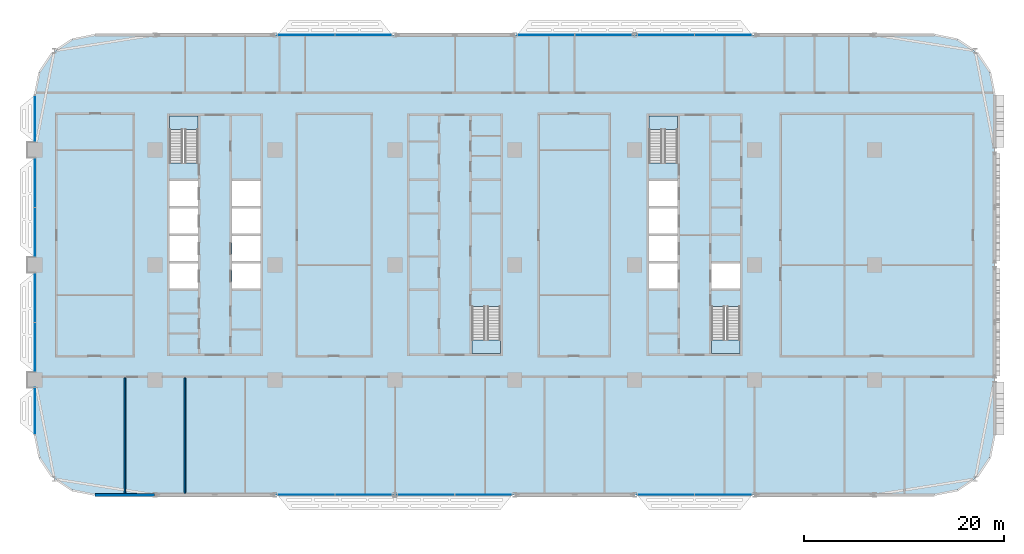
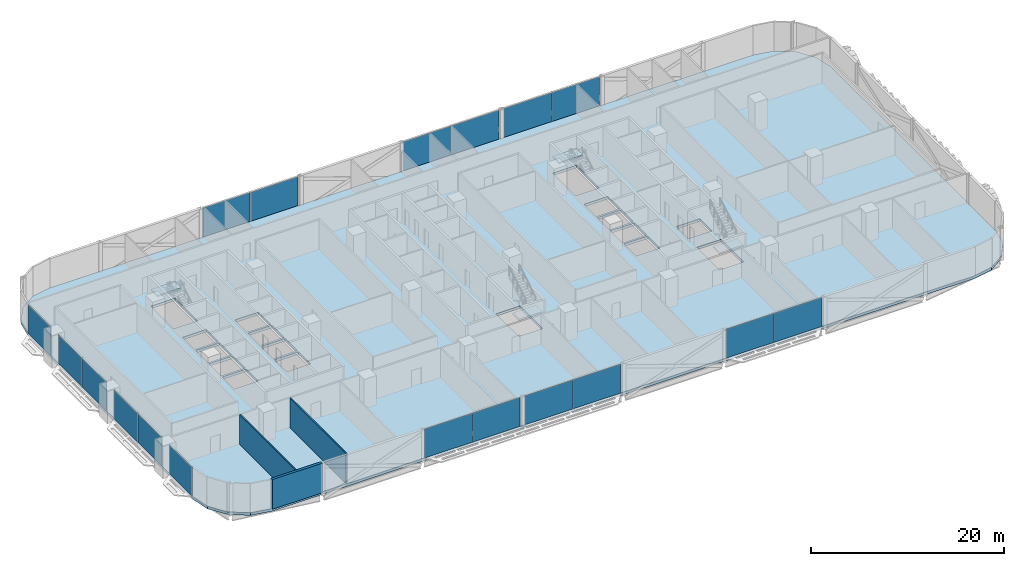
# One storey, part 11 of 29: 18 plates, 5 slabs, 3 walls, 14 elements without a shape of their own.
"""IFC4 building model written with IfcOpenShell, lengths in metres."""

import ifcopenshell
import ifcopenshell.guid

model = None  # the IFC model being written
_history = None  # IfcOwnerHistory: only IFC2X3 demands one
_inside = {}  # id of a spatial element -> (the spatial element, [elements in it])
_under = {}  # id of a project, library or spatial element -> (it, [spatial elements below it])
_declared = {}  # id of a project -> (the project, [libraries it declares])
_typed = {}  # id of a type object -> (the type object, [elements of that type])
_made_of = {}  # id of a material, layer set ... -> (it, [elements and type objects made of it])


def new_model(schema):
    """Start an empty IFC model of exactly this schema.

    Asked for "IFC4X3", IfcOpenShell would pick the latest addendum, in which some entities
    have other attributes; the version numbers below select the first issue.
    IFC2X3 requires an IfcOwnerHistory on every rooted entity: one is made here for all.
    """
    global model, _history
    if schema == "IFC4X3":
        model = ifcopenshell.file(schema_version=(4, 3, 0, 0))
    else:
        model = ifcopenshell.file(schema=schema)
    _inside.clear()
    _under.clear()
    _declared.clear()
    _typed.clear()
    _made_of.clear()
    _history = None
    if model.schema == "IFC2X3":
        org = make("IfcOrganization", Name="unknown")
        user = make(
            "IfcPersonAndOrganization",
            ThePerson=make("IfcPerson", FamilyName="unknown"),
            TheOrganization=org,
        )
        app = make(
            "IfcApplication",
            ApplicationDeveloper=org,
            Version="unknown",
            ApplicationFullName="unknown",
            ApplicationIdentifier="unknown",
        )
        _history = make(
            "IfcOwnerHistory",
            OwningUser=user,
            OwningApplication=app,
            ChangeAction="ADDED",
            CreationDate=0,
        )
    return model


def make(cls, **values):
    """One entity of the class cls with the attributes given. An attribute that is None is left unset."""
    return model.create_entity(
        cls, **{name: value for name, value in values.items() if value is not None}
    )


def rooted(cls, **values):
    """An entity with a GlobalId (a new one), such as an element, a storey or a relation."""
    return make(cls, GlobalId=ifcopenshell.guid.new(), OwnerHistory=_history, **values)


def si_unit(unit_type, name, prefix=None):
    """IfcSIUnit, for example si_unit("LENGTHUNIT", "METRE", prefix="MILLI")."""
    return make("IfcSIUnit", UnitType=unit_type, Prefix=prefix, Name=name)


def assignment(units):
    """IfcUnitAssignment: the units of a project."""
    return None if units is None else make("IfcUnitAssignment", Units=units)


def point(xyz):
    """IfcCartesianPoint."""
    return None if xyz is None else make("IfcCartesianPoint", Coordinates=xyz)


def direction(xyz):
    """IfcDirection."""
    return None if xyz is None else make("IfcDirection", DirectionRatios=xyz)


def frame(location, z_axis=None, x_axis=None):
    """IfcAxis2Placement3D, a coordinate frame: its origin and axes. An axis left out is left unset."""
    return make(
        "IfcAxis2Placement3D",
        Location=point(location),
        Axis=direction(z_axis),
        RefDirection=direction(x_axis),
    )


def frame_2d(location, x_axis=None):
    """IfcAxis2Placement2D, a coordinate frame in the plane: its origin and x axis."""
    return make(
        "IfcAxis2Placement2D", Location=point(location), RefDirection=direction(x_axis)
    )


def origin():
    """The frame at (0, 0, 0) with its axes left unset."""
    return frame((0.0, 0.0, 0.0))


def origin_2d():
    """The frame at (0, 0) in the plane with its x axis left unset."""
    return frame_2d((0.0, 0.0))


def place(relative_to, where):
    """IfcLocalPlacement: puts the frame where relative to a parent placement (None: the world)."""
    return make(
        "IfcLocalPlacement", PlacementRelTo=relative_to, RelativePlacement=where
    )


def context(
    kind, dimensions, precision=None, world=None, true_north=None, identifier=None
):
    """IfcGeometricRepresentationContext, for example the 3D "Model" context."""
    return make(
        "IfcGeometricRepresentationContext",
        ContextIdentifier=identifier,
        ContextType=kind,
        CoordinateSpaceDimension=dimensions,
        Precision=precision,
        WorldCoordinateSystem=world,
        TrueNorth=true_north,
    )


def subcontext(parent, identifier, kind, view, scale=None):
    """IfcGeometricRepresentationSubContext, for example "Body" below "Model"."""
    return make(
        "IfcGeometricRepresentationSubContext",
        ContextIdentifier=identifier,
        ContextType=kind,
        ParentContext=parent,
        TargetScale=scale,
        TargetView=view,
    )


def project(units=None, contexts=None):
    """IfcProject with its units and contexts."""
    return rooted(
        "IfcProject",
        Name="project",
        RepresentationContexts=contexts,
        UnitsInContext=assignment(units),
    )


def spatial(cls, under=None, at=None, **own):
    """A site, building, storey or space (cls), placed at a placement, below another one or the project."""
    s = rooted(cls, ObjectPlacement=at, **own)
    if under is not None:
        _under.setdefault(under.id(), (under, []))[1].append(s)
    return s


def polyline(points):
    """IfcPolyline through the points."""
    return make("IfcPolyline", Points=[point(p) for p in points])


def profile(cls, at=None, kind="AREA", **sizes):
    """A parametric profile (cls). Its sizes go by their IFC names, for example OverallWidth=200.0."""
    return make(cls, ProfileType=kind, Position=at, **sizes)


def rectangle(**sizes):
    """IfcRectangleProfileDef."""
    return profile("IfcRectangleProfileDef", **sizes)


def outline(outer, holes=None, kind="AREA"):
    """IfcArbitraryClosedProfileDef: a profile drawn as a closed curve; with holes, ...WithVoids."""
    if holes is None:
        return make("IfcArbitraryClosedProfileDef", ProfileType=kind, OuterCurve=outer)
    return make(
        "IfcArbitraryProfileDefWithVoids",
        ProfileType=kind,
        OuterCurve=outer,
        InnerCurves=holes,
    )


def extrude(swept, where, along, depth):
    """IfcExtrudedAreaSolid: the profile swept, set in the frame where, extruded along a direction by depth."""
    return make(
        "IfcExtrudedAreaSolid",
        SweptArea=swept,
        Position=where,
        ExtrudedDirection=direction(along),
        Depth=depth,
    )


def shape(context_of_items, identifier, shape_type, items):
    """IfcShapeRepresentation: the items that make up one representation, for example the "Body"."""
    return make(
        "IfcShapeRepresentation",
        ContextOfItems=context_of_items,
        RepresentationIdentifier=identifier,
        RepresentationType=shape_type,
        Items=items,
    )


def material(Name=None, Category=None):
    """IfcMaterial."""
    return make("IfcMaterial", Name=Name, Category=Category)


def layer(
    of_material, thickness, ventilated=None, Name=None, Category=None, Priority=None
):
    """IfcMaterialLayer: one layer of a wall or slab, of a material (None: an air gap)."""
    return make(
        "IfcMaterialLayer",
        Material=of_material,
        LayerThickness=thickness,
        IsVentilated=ventilated,
        Name=Name,
        Category=Category,
        Priority=Priority,
    )


def layer_set(layers, Name=None):
    """IfcMaterialLayerSet."""
    return make("IfcMaterialLayerSet", MaterialLayers=layers, LayerSetName=Name)


def made_of(thing, what):
    """Note that an element or type object is made of a material, layer set ...; save() writes the relation."""
    if what is not None:
        _made_of.setdefault(what.id(), (what, []))[1].append(thing)
    return thing


def type_object(cls, material=None, **own):
    """A type object (cls), such as IfcWallType, which elements share."""
    return made_of(rooted(cls, **own), material)


def element(
    cls,
    number,
    at=None,
    inside=None,
    cuts=None,
    type_object=None,
    material=None,
    context=None,
    identifier="Body",
    shape_type=None,
    held_by="IfcProductDefinitionShape",
    body=None,
    shapes=None,
    **own,
):
    """One element of the class cls, such as IfcWall. Its Tag is "e" and its number.

    at: its placement. inside: the storey or other place that contains it. cuts: it is an
    opening in that element (IfcRelVoidsElement). A single representation is given by context,
    identifier, shape_type and body (its items); several are given by shapes. held_by: the class
    of the entity that holds the representations. save() writes the other relations.
    """
    e = rooted(cls, Tag="e%d" % number, ObjectPlacement=at, **own)
    if body is not None:
        shapes = [shape(context, identifier, shape_type, body)]
    if shapes is not None:
        e.Representation = make(held_by, Representations=shapes)
    if inside is not None:
        _inside.setdefault(inside.id(), (inside, []))[1].append(e)
    if cuts is not None:
        rooted(
            "IfcRelVoidsElement", RelatingBuildingElement=cuts, RelatedOpeningElement=e
        )
    if type_object is not None:
        _typed.setdefault(type_object.id(), (type_object, []))[1].append(e)
    return made_of(e, material)


def aggregate(whole, parts):
    """IfcRelAggregates: a whole, such as a stair, and the parts it consists of."""
    return rooted("IfcRelAggregates", RelatingObject=whole, RelatedObjects=parts)


def save(model, path):
    """Write the relations noted so far, then the file.

    IfcRelAggregates (storeys below a building ...), IfcRelContainedInSpatialStructure (elements
    in a storey), IfcRelDefinesByType, IfcRelAssociatesMaterial and IfcRelDeclares: one each for
    every whole, place, type object, material and project.
    """
    for whole, parts in _under.values():
        aggregate(whole, parts)
    for where, things in _inside.values():
        rooted(
            "IfcRelContainedInSpatialStructure",
            RelatedElements=things,
            RelatingStructure=where,
        )
    for kind, things in _typed.values():
        rooted("IfcRelDefinesByType", RelatedObjects=things, RelatingType=kind)
    for what, things in _made_of.values():
        rooted("IfcRelAssociatesMaterial", RelatedObjects=things, RelatingMaterial=what)
    for by, libraries in _declared.values():
        rooted("IfcRelDeclares", RelatingContext=by, RelatedDefinitions=libraries)
    model.write(path)


model = new_model("IFC4")

# Units and contexts
model_context = context("Model", 3, precision=1e-05, world=origin(), true_north=direction((0.0, 1.0)))
body_context = subcontext(model_context, "Body", "Model", "MODEL_VIEW")
ifc_project = project(units=[si_unit("LENGTHUNIT", "METRE"), si_unit("AREAUNIT", "SQUARE_METRE"), si_unit("VOLUMEUNIT", "CUBIC_METRE"), si_unit("PLANEANGLEUNIT", "RADIAN"), si_unit("MASSUNIT", "GRAM", prefix="KILO")], contexts=[model_context])

# Site, building, storey
site_placement = place(None, origin())
site = spatial("IfcSite", under=ifc_project, at=site_placement, CompositionType="ELEMENT")
building_placement = place(site_placement, origin())
building = spatial("IfcBuilding", under=site, at=building_placement, Name="Mahtab Terrace Research Tower", CompositionType="ELEMENT")
storey_placement = place(building_placement, frame((0.0, 0.0, 76.10009765625)))
storey = spatial("IfcBuildingStorey", under=building, at=storey_placement, Name="L17", CompositionType="ELEMENT", Elevation=76.10009765625)

# Stair, slab
ifc_material_1 = material(Name="Exit stair half-turn")
stair_type = type_object("IfcStairType", Name="Exit stair half-turn", PredefinedType="HALF_TURN_STAIR", material=ifc_material_1)
stair_1_placement = place(storey_placement, origin())
stair_1 = element("IfcStair", 1, at=stair_1_placement, inside=storey, type_object=stair_type, Name="L17 Protected exit stair ST1", PredefinedType="HALF_TURN_STAIR")
ifc_material_2 = material(Name="Concrete C40/50", Category="concrete")
ifc_layer_1 = layer(ifc_material_2, 0.199951171875)
ifc_layer_set_1 = layer_set([ifc_layer_1], Name="Exit stair landing 200")
slab_type_1 = type_object("IfcSlabType", Name="Exit stair landing 200", PredefinedType="LANDING", material=ifc_layer_set_1)
slab_1_placement = place(storey_placement, frame((0.0, 0.0, 1.949951171875)))
slab_1 = element("IfcSlab", 2, at=slab_1_placement, type_object=slab_type_1, Name="ST1 landing 1", PredefinedType="LANDING", context=body_context, shape_type="SweptSolid", body=[
    extrude(outline(polyline([(-25.699951171875, 13.534912109375), (-25.699951171875, 14.875), (-28.550048828125, 14.875), (-28.550048828125, 13.534912109375), (-25.699951171875, 13.534912109375)])), origin(), (0.0, 0.0, 1.0), 0.199951171875),
])
aggregate(stair_1, [slab_1])

stair_2_placement = place(storey_placement, origin())
stair_2 = element("IfcStair", 3, at=stair_2_placement, inside=storey, type_object=stair_type, Name="L17 Protected exit stair ST2", PredefinedType="HALF_TURN_STAIR")
slab_2_placement = place(storey_placement, frame((0.0, 0.0, 1.949951171875)))
slab_2 = element("IfcSlab", 4, at=slab_2_placement, type_object=slab_type_1, Name="ST2 landing 1", PredefinedType="LANDING", context=body_context, shape_type="SweptSolid", body=[
    extrude(outline(polyline([(1.699951171875, -7.534912109375), (1.699951171875, -8.875), (4.550048828125, -8.875), (4.550048828125, -7.534912109375), (1.699951171875, -7.534912109375)])), origin(), (0.0, 0.0, 1.0), 0.199951171875),
])
aggregate(stair_2, [slab_2])

stair_3_placement = place(storey_placement, origin())
stair_3 = element("IfcStair", 5, at=stair_3_placement, inside=storey, type_object=stair_type, Name="L17 Protected exit stair ST3", PredefinedType="HALF_TURN_STAIR")
slab_3_placement = place(storey_placement, frame((0.0, 0.0, 1.949951171875)))
slab_3 = element("IfcSlab", 6, at=slab_3_placement, type_object=slab_type_1, Name="ST3 landing 1", PredefinedType="LANDING", context=body_context, shape_type="SweptSolid", body=[
    extrude(outline(polyline([(22.300048828125, 13.534912109375), (22.300048828125, 14.875), (19.449951171875, 14.875), (19.449951171875, 13.534912109375), (22.300048828125, 13.534912109375)])), origin(), (0.0, 0.0, 1.0), 0.199951171875),
])
aggregate(stair_3, [slab_3])

stair_4_placement = place(storey_placement, origin())
stair_4 = element("IfcStair", 7, at=stair_4_placement, inside=storey, type_object=stair_type, Name="L17 Protected exit stair ST4", PredefinedType="HALF_TURN_STAIR")
slab_4_placement = place(storey_placement, frame((0.0, 0.0, 1.949951171875)))
slab_4 = element("IfcSlab", 8, at=slab_4_placement, type_object=slab_type_1, Name="ST4 landing 1", PredefinedType="LANDING", context=body_context, shape_type="SweptSolid", body=[
    extrude(outline(polyline([(25.699951171875, -7.534912109375), (25.699951171875, -8.875), (28.550048828125, -8.875), (28.550048828125, -7.534912109375), (25.699951171875, -7.534912109375)])), origin(), (0.0, 0.0, 1.0), 0.199951171875),
])
aggregate(stair_4, [slab_4])

# Curtain wall, plates
ifc_material_3 = material(Name="Laboratory ribbon curtain wall")
curtain_wall_type = type_object("IfcCurtainWallType", Name="Laboratory ribbon curtain wall", PredefinedType="NOTDEFINED", material=ifc_material_3)
curtain_wall_1_placement = place(storey_placement, origin())
curtain_wall_1 = element("IfcCurtainWall", 9, at=curtain_wall_1_placement, inside=storey, type_object=curtain_wall_type, Name="EN.L17.3.5", PredefinedType="NOTDEFINED")
ifc_material_4 = material(Name="Dark glazing", Category="glass")
ifc_layer_2 = layer(ifc_material_4, 0.031982421875)
ifc_layer_set_2 = layer_set([ifc_layer_2], Name="Laboratory ribbon curtain wall glazing panel")
plate_type = type_object("IfcPlateType", Name="Laboratory ribbon curtain wall glazing panel", PredefinedType="CURTAIN_PANEL", material=ifc_layer_set_2)
plate_1_placement = place(storey_placement, frame((26.86474609375, 23.0, 0.0), z_axis=(0.0, 0.0, 1.0), x_axis=(-1.0, 0.0, 0.0)))
plate_1 = element("IfcPlate", 10, at=plate_1_placement, type_object=plate_type, Name="CWL-2 panel 1", PredefinedType="CURTAIN_PANEL", context=body_context, shape_type="SweptSolid", body=[
    extrude(rectangle(XDim=5.66455078125, YDim=0.031982421875, at=origin_2d()), origin(), (0.0, 0.0, 1.0), 3.64990234375),
])
plate_2_placement = place(storey_placement, frame((21.13525390625, 23.0, 0.0), z_axis=(0.0, 0.0, 1.0), x_axis=(-1.0, 0.0, 0.0)))
plate_2 = element("IfcPlate", 11, at=plate_2_placement, type_object=plate_type, Name="CWL-2 panel 2", PredefinedType="CURTAIN_PANEL", context=body_context, shape_type="SweptSolid", body=[
    extrude(rectangle(XDim=5.66455078125, YDim=0.031982421875, at=origin_2d()), origin(), (0.0, 0.0, 1.0), 3.64990234375),
])
aggregate(curtain_wall_1, [plate_1, plate_2])

curtain_wall_2_placement = place(storey_placement, origin())
curtain_wall_2 = element("IfcCurtainWall", 12, at=curtain_wall_2_placement, inside=storey, type_object=curtain_wall_type, Name="EN.L17.3.6", PredefinedType="NOTDEFINED")
plate_3_placement = place(storey_placement, frame((14.86474609375, 23.0, 0.0), z_axis=(0.0, 0.0, 1.0), x_axis=(-1.0, 0.0, 0.0)))
plate_3 = element("IfcPlate", 13, at=plate_3_placement, type_object=plate_type, Name="CWL-2 panel 1", PredefinedType="CURTAIN_PANEL", context=body_context, shape_type="SweptSolid", body=[
    extrude(rectangle(XDim=5.66455078125, YDim=0.031982421875, at=origin_2d()), origin(), (0.0, 0.0, 1.0), 3.64990234375),
])
plate_4_placement = place(storey_placement, frame((9.13525390625, 23.0, 0.0), z_axis=(0.0, 0.0, 1.0), x_axis=(-1.0, 0.0, 0.0)))
plate_4 = element("IfcPlate", 14, at=plate_4_placement, type_object=plate_type, Name="CWL-2 panel 2", PredefinedType="CURTAIN_PANEL", context=body_context, shape_type="SweptSolid", body=[
    extrude(rectangle(XDim=5.66455078125, YDim=0.031982421875, at=origin_2d()), origin(), (0.0, 0.0, 1.0), 3.64990234375),
])
aggregate(curtain_wall_2, [plate_3, plate_4])

curtain_wall_3_placement = place(storey_placement, origin())
curtain_wall_3 = element("IfcCurtainWall", 15, at=curtain_wall_3_placement, inside=storey, type_object=curtain_wall_type, Name="EN.L17.3.8", PredefinedType="NOTDEFINED")
plate_5_placement = place(storey_placement, frame((-9.13525390625, 23.0, 0.0), z_axis=(0.0, 0.0, 1.0), x_axis=(-1.0, 0.0, 0.0)))
plate_5 = element("IfcPlate", 16, at=plate_5_placement, type_object=plate_type, Name="CWL-2 panel 1", PredefinedType="CURTAIN_PANEL", context=body_context, shape_type="SweptSolid", body=[
    extrude(rectangle(XDim=5.66455078125, YDim=0.031982421875, at=origin_2d()), origin(), (0.0, 0.0, 1.0), 3.64990234375),
])
plate_6_placement = place(storey_placement, frame((-14.86474609375, 23.0, 0.0), z_axis=(0.0, 0.0, 1.0), x_axis=(-1.0, 0.0, 0.0)))
plate_6 = element("IfcPlate", 17, at=plate_6_placement, type_object=plate_type, Name="CWL-2 panel 2", PredefinedType="CURTAIN_PANEL", context=body_context, shape_type="SweptSolid", body=[
    extrude(rectangle(XDim=5.66455078125, YDim=0.031982421875, at=origin_2d()), origin(), (0.0, 0.0, 1.0), 3.64990234375),
])
aggregate(curtain_wall_3, [plate_5, plate_6])

# Curtain wall, plate
curtain_wall_4_placement = place(storey_placement, origin())
curtain_wall_4 = element("IfcCurtainWall", 18, at=curtain_wall_4_placement, inside=storey, type_object=curtain_wall_type, Name="EN.L17.8.15", PredefinedType="NOTDEFINED")
plate_7_placement = place(storey_placement, frame((-42.0, 14.625, 0.0), z_axis=(0.0, 0.0, 1.0), x_axis=(0.0, -1.0, 0.0)))
plate_7 = element("IfcPlate", 19, at=plate_7_placement, type_object=plate_type, Name="CWL-2 panel 1", PredefinedType="CURTAIN_PANEL", context=body_context, shape_type="SweptSolid", body=[
    extrude(rectangle(XDim=4.6201171875, YDim=0.031982421875, at=origin_2d()), origin(), (0.0, 0.0, 1.0), 3.64990234375),
])
aggregate(curtain_wall_4, [plate_7])

# Curtain wall, plates
curtain_wall_5_placement = place(storey_placement, origin())
curtain_wall_5 = element("IfcCurtainWall", 20, at=curtain_wall_5_placement, inside=storey, type_object=curtain_wall_type, Name="EN.L17.8.16", PredefinedType="NOTDEFINED")
plate_8_placement = place(storey_placement, frame((-42.0, 8.233642578125, 0.0), z_axis=(0.0, 0.0, 1.0), x_axis=(0.0, -1.0, 0.0)))
plate_8 = element("IfcPlate", 21, at=plate_8_placement, type_object=plate_type, Name="CWL-2 panel 1", PredefinedType="CURTAIN_PANEL", context=body_context, shape_type="SweptSolid", body=[
    extrude(rectangle(XDim=4.902587890625, YDim=0.031982421875, at=origin_2d()), origin(), (0.0, 0.0, 1.0), 3.64990234375),
])
plate_9_placement = place(storey_placement, frame((-42.0, 3.266357421875, 0.0), z_axis=(0.0, 0.0, 1.0), x_axis=(0.0, -1.0, 0.0)))
plate_9 = element("IfcPlate", 22, at=plate_9_placement, type_object=plate_type, Name="CWL-2 panel 2", PredefinedType="CURTAIN_PANEL", context=body_context, shape_type="SweptSolid", body=[
    extrude(rectangle(XDim=4.902587890625, YDim=0.031982421875, at=origin_2d()), origin(), (0.0, 0.0, 1.0), 3.64990234375),
])
aggregate(curtain_wall_5, [plate_8, plate_9])

curtain_wall_6_placement = place(storey_placement, origin())
curtain_wall_6 = element("IfcCurtainWall", 23, at=curtain_wall_6_placement, inside=storey, type_object=curtain_wall_type, Name="EN.L17.8.17", PredefinedType="NOTDEFINED")
plate_10_placement = place(storey_placement, frame((-42.0, -3.266357421875, 0.0), z_axis=(0.0, 0.0, 1.0), x_axis=(0.0, -1.0, 0.0)))
plate_10 = element("IfcPlate", 24, at=plate_10_placement, type_object=plate_type, Name="CWL-2 panel 1", PredefinedType="CURTAIN_PANEL", context=body_context, shape_type="SweptSolid", body=[
    extrude(rectangle(XDim=4.902587890625, YDim=0.031982421875, at=origin_2d()), origin(), (0.0, 0.0, 1.0), 3.64990234375),
])
plate_11_placement = place(storey_placement, frame((-42.0, -8.233642578125, 0.0), z_axis=(0.0, 0.0, 1.0), x_axis=(0.0, -1.0, 0.0)))
plate_11 = element("IfcPlate", 25, at=plate_11_placement, type_object=plate_type, Name="CWL-2 panel 2", PredefinedType="CURTAIN_PANEL", context=body_context, shape_type="SweptSolid", body=[
    extrude(rectangle(XDim=4.902587890625, YDim=0.031982421875, at=origin_2d()), origin(), (0.0, 0.0, 1.0), 3.64990234375),
])
aggregate(curtain_wall_6, [plate_10, plate_11])

# Curtain wall, plate
curtain_wall_7_placement = place(storey_placement, origin())
curtain_wall_7 = element("IfcCurtainWall", 26, at=curtain_wall_7_placement, inside=storey, type_object=curtain_wall_type, Name="EN.L17.8.18", PredefinedType="NOTDEFINED")
plate_12_placement = place(storey_placement, frame((-42.0, -14.625, 0.0), z_axis=(0.0, 0.0, 1.0), x_axis=(0.0, -1.0, 0.0)))
plate_12 = element("IfcPlate", 27, at=plate_12_placement, type_object=plate_type, Name="CWL-2 panel 1", PredefinedType="CURTAIN_PANEL", context=body_context, shape_type="SweptSolid", body=[
    extrude(rectangle(XDim=4.6201171875, YDim=0.031982421875, at=origin_2d()), origin(), (0.0, 0.0, 1.0), 3.64990234375),
])
aggregate(curtain_wall_7, [plate_12])

# Curtain wall, plates
curtain_wall_8_placement = place(storey_placement, origin())
curtain_wall_8 = element("IfcCurtainWall", 28, at=curtain_wall_8_placement, inside=storey, type_object=curtain_wall_type, Name="EN.L17.13.25", PredefinedType="NOTDEFINED")
plate_13_placement = place(storey_placement, frame((-14.86474609375, -23.0, 0.0), z_axis=(0.0, 0.0, 1.0), x_axis=(1.0, 0.0, 0.0)))
plate_13 = element("IfcPlate", 29, at=plate_13_placement, type_object=plate_type, Name="CWL-2 panel 1", PredefinedType="CURTAIN_PANEL", context=body_context, shape_type="SweptSolid", body=[
    extrude(rectangle(XDim=5.66455078125, YDim=0.031982421875, at=origin_2d()), origin(), (0.0, 0.0, 1.0), 3.64990234375),
])
plate_14_placement = place(storey_placement, frame((-9.13525390625, -23.0, 0.0), z_axis=(0.0, 0.0, 1.0), x_axis=(1.0, 0.0, 0.0)))
plate_14 = element("IfcPlate", 30, at=plate_14_placement, type_object=plate_type, Name="CWL-2 panel 2", PredefinedType="CURTAIN_PANEL", context=body_context, shape_type="SweptSolid", body=[
    extrude(rectangle(XDim=5.66455078125, YDim=0.031982421875, at=origin_2d()), origin(), (0.0, 0.0, 1.0), 3.64990234375),
])
aggregate(curtain_wall_8, [plate_13, plate_14])

curtain_wall_9_placement = place(storey_placement, origin())
curtain_wall_9 = element("IfcCurtainWall", 31, at=curtain_wall_9_placement, inside=storey, type_object=curtain_wall_type, Name="EN.L17.13.26", PredefinedType="NOTDEFINED")
plate_15_placement = place(storey_placement, frame((-2.86474609375, -23.0, 0.0), z_axis=(0.0, 0.0, 1.0), x_axis=(1.0, 0.0, 0.0)))
plate_15 = element("IfcPlate", 32, at=plate_15_placement, type_object=plate_type, Name="CWL-2 panel 1", PredefinedType="CURTAIN_PANEL", context=body_context, shape_type="SweptSolid", body=[
    extrude(rectangle(XDim=5.66455078125, YDim=0.031982421875, at=origin_2d()), origin(), (0.0, 0.0, 1.0), 3.64990234375),
])
plate_16_placement = place(storey_placement, frame((2.86474609375, -23.0, 0.0), z_axis=(0.0, 0.0, 1.0), x_axis=(1.0, 0.0, 0.0)))
plate_16 = element("IfcPlate", 33, at=plate_16_placement, type_object=plate_type, Name="CWL-2 panel 2", PredefinedType="CURTAIN_PANEL", context=body_context, shape_type="SweptSolid", body=[
    extrude(rectangle(XDim=5.66455078125, YDim=0.031982421875, at=origin_2d()), origin(), (0.0, 0.0, 1.0), 3.64990234375),
])
aggregate(curtain_wall_9, [plate_15, plate_16])

curtain_wall_10_placement = place(storey_placement, origin())
curtain_wall_10 = element("IfcCurtainWall", 34, at=curtain_wall_10_placement, inside=storey, type_object=curtain_wall_type, Name="EN.L17.13.28", PredefinedType="NOTDEFINED")
plate_17_placement = place(storey_placement, frame((21.13525390625, -23.0, 0.0), z_axis=(0.0, 0.0, 1.0), x_axis=(1.0, 0.0, 0.0)))
plate_17 = element("IfcPlate", 35, at=plate_17_placement, type_object=plate_type, Name="CWL-2 panel 1", PredefinedType="CURTAIN_PANEL", context=body_context, shape_type="SweptSolid", body=[
    extrude(rectangle(XDim=5.66455078125, YDim=0.031982421875, at=origin_2d()), origin(), (0.0, 0.0, 1.0), 3.64990234375),
])
plate_18_placement = place(storey_placement, frame((26.86474609375, -23.0, 0.0), z_axis=(0.0, 0.0, 1.0), x_axis=(1.0, 0.0, 0.0)))
plate_18 = element("IfcPlate", 36, at=plate_18_placement, type_object=plate_type, Name="CWL-2 panel 2", PredefinedType="CURTAIN_PANEL", context=body_context, shape_type="SweptSolid", body=[
    extrude(rectangle(XDim=5.66455078125, YDim=0.031982421875, at=origin_2d()), origin(), (0.0, 0.0, 1.0), 3.64990234375),
])
aggregate(curtain_wall_10, [plate_17, plate_18])

# Slab
ifc_layer_3 = layer(ifc_material_2, 0.340087890625)
ifc_layer_set_3 = layer_set([ifc_layer_3], Name="PT flat slab 340")
slab_type_2 = type_object("IfcSlabType", Name="PT flat slab 340", PredefinedType="FLOOR", material=ifc_layer_set_3)
slab_5_placement = place(storey_placement, frame((0.0, 0.0, -0.340087890625)))
element("IfcSlab", 37, at=slab_5_placement, inside=storey, type_object=slab_type_2, Name="Floor slab L17", PredefinedType="FLOOR", context=body_context, shape_type="SweptSolid", body=[
    extrude(outline(polyline([(53.54296875, 19.2958984375), (52.242919921875, 21.242919921875), (50.2958984375, 22.54296875), (48.0, 23.0), (-36.0, 23.0), (-38.2958984375, 22.54296875), (-40.242919921875, 21.242919921875), (-41.54296875, 19.2958984375), (-42.0, 17.0), (-42.0, -17.0), (-41.54296875, -19.2958984375), (-40.242919921875, -21.242919921875), (-38.2958984375, -22.54296875), (-36.0, -23.0), (48.0, -23.0), (50.2958984375, -22.54296875), (52.242919921875, -21.242919921875), (53.54296875, -19.2958984375), (54.0, -17.0), (54.0, 17.0), (53.54296875, 19.2958984375)]), holes=[polyline([(-28.550048828125, -2.375), (-28.550048828125, 0.125), (-25.699951171875, 0.125), (-25.699951171875, -2.375), (-28.550048828125, -2.375)]), polyline([(-22.300048828125, -2.375), (-22.300048828125, 0.125), (-19.449951171875, 0.125), (-19.449951171875, -2.375), (-22.300048828125, -2.375)]), polyline([(-28.550048828125, 0.375), (-28.550048828125, 2.875), (-25.699951171875, 2.875), (-25.699951171875, 0.375), (-28.550048828125, 0.375)]), polyline([(-22.300048828125, 0.375), (-22.300048828125, 2.875), (-19.449951171875, 2.875), (-19.449951171875, 0.375), (-22.300048828125, 0.375)]), polyline([(-28.550048828125, 3.125), (-28.550048828125, 5.625), (-25.699951171875, 5.625), (-25.699951171875, 3.125), (-28.550048828125, 3.125)]), polyline([(-22.300048828125, 3.125), (-22.300048828125, 5.625), (-19.449951171875, 5.625), (-19.449951171875, 3.125), (-22.300048828125, 3.125)]), polyline([(-28.550048828125, 5.875), (-28.550048828125, 8.375), (-25.699951171875, 8.375), (-25.699951171875, 5.875), (-28.550048828125, 5.875)]), polyline([(-22.300048828125, 5.875), (-22.300048828125, 8.375), (-19.449951171875, 8.375), (-19.449951171875, 5.875), (-22.300048828125, 5.875)]), polyline([(-28.550048828125, 10.177001953125), (-28.550048828125, 14.875), (-25.699951171875, 14.875), (-25.699951171875, 10.177001953125), (-28.550048828125, 10.177001953125)]), polyline([(1.699951171875, -8.875), (1.699951171875, -4.177001953125), (4.550048828125, -4.177001953125), (4.550048828125, -8.875), (1.699951171875, -8.875)]), polyline([(25.699951171875, -8.875), (25.699951171875, -4.177001953125), (28.550048828125, -4.177001953125), (28.550048828125, -8.875), (25.699951171875, -8.875)]), polyline([(19.449951171875, -2.375), (19.449951171875, 0.125), (22.300048828125, 0.125), (22.300048828125, -2.375), (19.449951171875, -2.375)]), polyline([(25.699951171875, -2.375), (25.699951171875, 0.125), (28.550048828125, 0.125), (28.550048828125, -2.375), (25.699951171875, -2.375)]), polyline([(19.449951171875, 0.375), (19.449951171875, 2.875), (22.300048828125, 2.875), (22.300048828125, 0.375), (19.449951171875, 0.375)]), polyline([(19.449951171875, 3.125), (19.449951171875, 5.625), (22.300048828125, 5.625), (22.300048828125, 3.125), (19.449951171875, 3.125)]), polyline([(19.449951171875, 8.375), (22.300048828125, 8.375), (22.300048828125, 5.875), (19.449951171875, 5.875), (19.449951171875, 8.375)]), polyline([(19.449951171875, 14.875), (22.300048828125, 14.875), (22.300048828125, 10.177001953125), (19.449951171875, 10.177001953125), (19.449951171875, 14.875)])]), origin(), (0.0, 0.0, 1.0), 0.340087890625),
])

# Walls
ifc_material_5 = material(Name="Black aluminium cladding panel", Category="aluminium")
ifc_layer_4 = layer(ifc_material_5, 0.300048828125)
ifc_layer_set_4 = layer_set([ifc_layer_4], Name="Opaque facade wall 300")
wall_type_1 = type_object("IfcWallType", Name="Opaque facade wall 300", PredefinedType="NOTDEFINED", material=ifc_layer_set_4)
wall_placement = place(storey_placement, frame((-36.0, -23.0, 0.0), z_axis=(0.0, 0.0, 1.0), x_axis=(1.0, 0.0, 0.0)))
element("IfcWall", 38, at=wall_placement, inside=storey, type_object=wall_type_1, Name="Opaque facade wall L17 S23", PredefinedType="NOTDEFINED", context=body_context, shape_type="SweptSolid", body=[
    extrude(rectangle(XDim=5.97607421875, YDim=0.300048828125, at=frame_2d((2.988037109375, 0.0))), origin(), (0.0, 0.0, 1.0), 3.75),
])
ifc_material_6 = material(Name="Gypsum board partition on steel studs", Category="steel")
ifc_layer_5 = layer(ifc_material_6, 0.14990234375)
ifc_layer_set_5 = layer_set([ifc_layer_5], Name="WALL PARTITION 150")
wall_type_2 = type_object("IfcWallType", Name="WALL PARTITION 150", PredefinedType="PARTITIONING", material=ifc_layer_set_5)
for number, where, z_axis, x_axis, name in (
    (39, (-33.0, -22.85009765625, 0.0), (0.0, 0.0, 1.0), (0.0, 1.0, 0.0), "L17-W026"),
    (40, (-27.0, -22.85009765625, 0.0), (0.0, 0.0, 1.0), (0.0, 1.0, 0.0), "L17-W028"),
):
    element("IfcWall", number, at=place(storey_placement, frame(where, z_axis=z_axis, x_axis=x_axis)), inside=storey, type_object=wall_type_2, Name=name, PredefinedType="PARTITIONING", context=body_context, shape_type="SweptSolid", body=[
        extrude(rectangle(XDim=11.550048828125, YDim=0.14990234375, at=frame_2d((5.77490234375, 0.0))), origin(), (0.0, 0.0, 1.0), 3.75),
    ])

save(model, "model.ifc")
